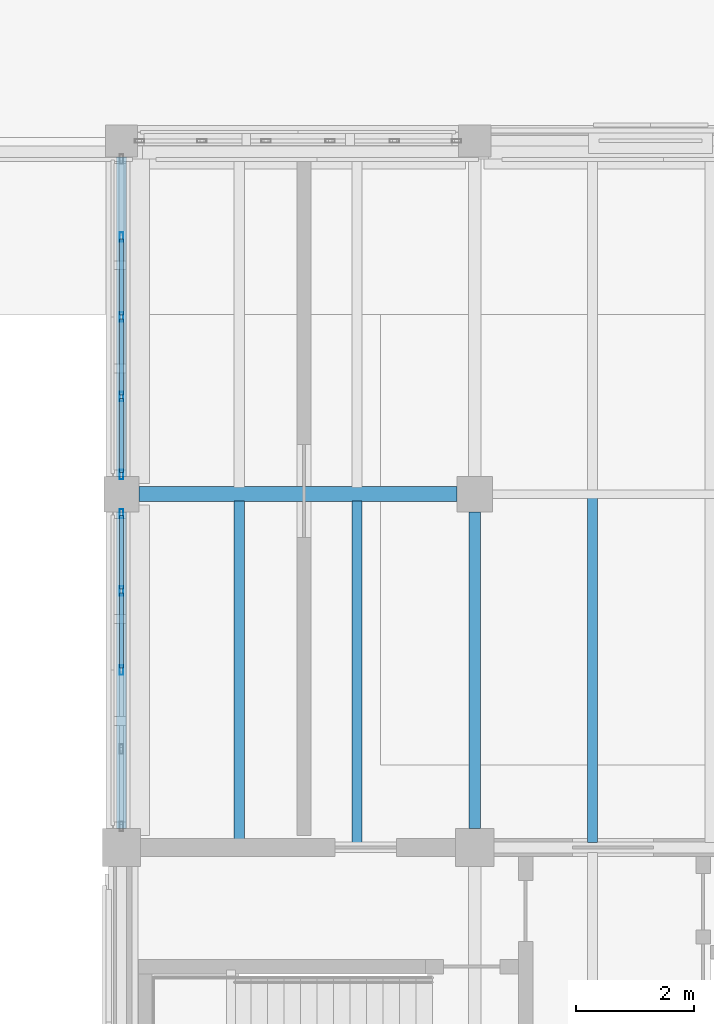
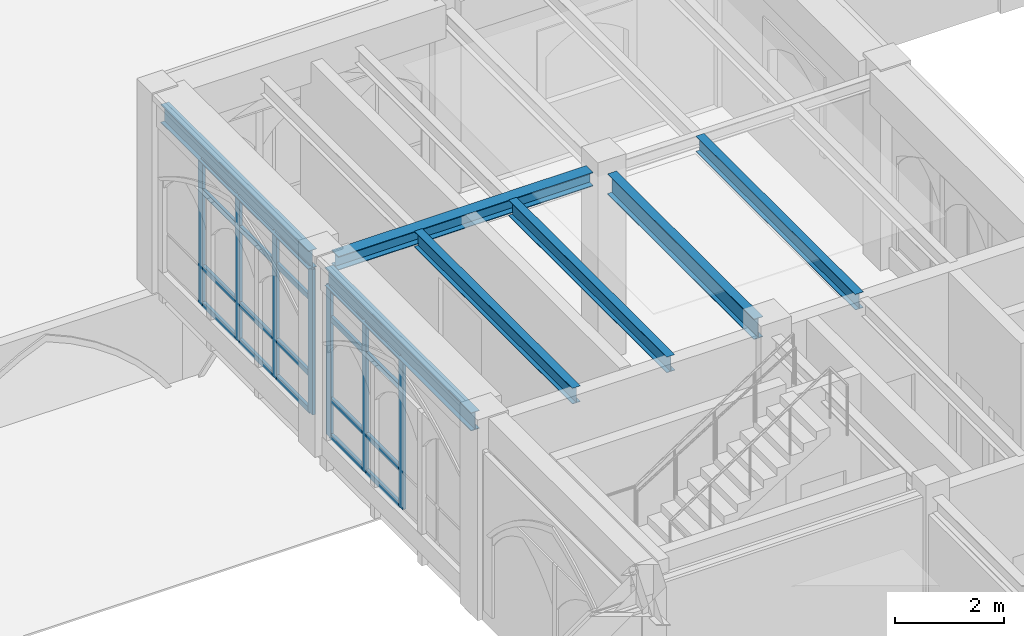
# One storey, part 23 of 127: 27 members, 7 beams, 2 elements without a shape of their own.
"""IFC4 building model written with IfcOpenShell, lengths in metres."""

from ifc_helpers import new_model, si_unit, direction, frame, origin, origin_2d, place, context, subcontext, project, spatial, hollow_rectangle, i_section, extrude, material, layer, layer_set, material_profile, profile_set, type_object, element, aggregate, save


model = new_model("IFC4")

# Units and contexts
model_context = context("Model", 3, precision=1e-05, world=origin(), true_north=direction((0.0, 1.0)))
body_context = subcontext(model_context, "Body", "Model", "MODEL_VIEW")
ifc_project = project(units=[si_unit("LENGTHUNIT", "METRE"), si_unit("AREAUNIT", "SQUARE_METRE"), si_unit("VOLUMEUNIT", "CUBIC_METRE"), si_unit("PLANEANGLEUNIT", "RADIAN"), si_unit("MASSUNIT", "GRAM", prefix="KILO")], contexts=[model_context])

# Site, building, storey
site_placement = place(None, origin())
site = spatial("IfcSite", under=ifc_project, at=site_placement, CompositionType="ELEMENT")
building_placement = place(site_placement, origin())
building = spatial("IfcBuilding", under=site, at=building_placement, Name="Cumevento Cable Car Station", CompositionType="ELEMENT")
storey_placement = place(building_placement, frame((0.0, 0.0, 4.5)))
storey = spatial("IfcBuildingStorey", under=building, at=storey_placement, Name="L02", CompositionType="ELEMENT", Elevation=4.5)

# Curtain wall, members
ifc_material_1 = material(Name="Anodised Bronze Aluminium AW-6063-T6", Category="aluminium")
ifc_layer_1 = layer(ifc_material_1, 0.18994140625)
ifc_layer_set_1 = layer_set([ifc_layer_1], Name="Anodised Bronze Aluminium AW-6063-T6")
curtain_wall_type_1 = type_object("IfcCurtainWallType", Name="Lancet Curtain Wall CW-06 1250", PredefinedType="NOTDEFINED", material=ifc_layer_set_1)
curtain_wall_1_placement = place(storey_placement, origin())
curtain_wall_1 = element("IfcCurtainWall", 1, at=curtain_wall_1_placement, inside=storey, type_object=curtain_wall_type_1, Name="Lancet Curtain Wall CW-06 L02 #53", PredefinedType="NOTDEFINED")
ifc_material_2 = material(Name="Anodised Bronze Aluminium AW-6063-T6", Category="aluminium")
ifc_material_profile_1 = material_profile(ifc_material_2, hollow_rectangle(XDim=0.06494140625, YDim=0.159912109375, WallThickness=0.00390625, at=origin_2d()), Name="ALUM65x160x4")
ifc_profile_set_1 = profile_set([ifc_material_profile_1], Name="Anodised Bronze Aluminium AW-6063-T6")
member_type_1 = type_object("IfcMemberType", Name="Curtain Mullion CWM-01 ALUM65x160x4", PredefinedType="MULLION", material=ifc_profile_set_1)
member_1_placement = place(storey_placement, frame((10.0, 36.012451171875, 0.409912109375), z_axis=(0.0, 0.0, 1.0), x_axis=(-1.0, 0.0, 0.0)))
member_1 = element("IfcMember", 2, at=member_1_placement, type_object=member_type_1, Name="CW-06 mullion 3", PredefinedType="MULLION", context=body_context, shape_type="SweptSolid", body=[
    extrude(hollow_rectangle(XDim=0.06494140625, YDim=0.159912109375, WallThickness=0.00390625, at=origin_2d()), origin(), (0.0, 0.0, 1.0), 3.3681640625),
])
member_2_placement = place(storey_placement, frame((10.0, 37.356201171875, 0.409912109375), z_axis=(0.0, 0.0, 1.0), x_axis=(-1.0, 0.0, 0.0)))
member_2 = element("IfcMember", 3, at=member_2_placement, type_object=member_type_1, Name="CW-06 mullion 4", PredefinedType="MULLION", context=body_context, shape_type="SweptSolid", body=[
    extrude(hollow_rectangle(XDim=0.06494140625, YDim=0.159912109375, WallThickness=0.00390625, at=origin_2d()), origin(), (0.0, 0.0, 1.0), 3.3681640625),
])
member_3_placement = place(storey_placement, frame((10.0, 38.66748046875, 0.409912109375), z_axis=(0.0, 0.0, 1.0), x_axis=(-1.0, 0.0, 0.0)))
member_3 = element("IfcMember", 4, at=member_3_placement, type_object=member_type_1, Name="CW-06 mullion 5", PredefinedType="MULLION", context=body_context, shape_type="SweptSolid", body=[
    extrude(hollow_rectangle(XDim=0.06494140625, YDim=0.159912109375, WallThickness=0.00390625, at=origin_2d()), origin(), (0.0, 0.0, 1.0), 3.3681640625),
])

ifc_material_3 = material(Name="Anodised Bronze Aluminium AW-6063-T6", Category="aluminium")
ifc_layer_2 = layer(ifc_material_3, 0.201904296875)
ifc_layer_set_2 = layer_set([ifc_layer_2], Name="Anodised Bronze Aluminium AW-6063-T6")
curtain_wall_type_2 = type_object("IfcCurtainWallType", Name="Lancet Curtain Wall CW-08 1330", PredefinedType="NOTDEFINED", material=ifc_layer_set_2)
curtain_wall_2_placement = place(storey_placement, origin())
curtain_wall_2 = element("IfcCurtainWall", 5, at=curtain_wall_2_placement, inside=storey, type_object=curtain_wall_type_2, Name="Lancet Curtain Wall CW-08 L02 #55", PredefinedType="NOTDEFINED")
member_4_placement = place(storey_placement, frame((10.0, 39.33251953125, 0.52001953125), z_axis=(0.0, 0.0, 1.0), x_axis=(-1.0, 0.0, 0.0)))
member_4 = element("IfcMember", 6, at=member_4_placement, type_object=member_type_1, Name="CW-08 mullion 1", PredefinedType="MULLION", context=body_context, shape_type="SweptSolid", body=[
    extrude(hollow_rectangle(XDim=0.06494140625, YDim=0.159912109375, WallThickness=0.00390625, at=origin_2d()), origin(), (0.0, 0.0, 1.0), 3.258056640625),
])
member_5_placement = place(storey_placement, frame((10.0, 40.65625, 0.52001953125), z_axis=(0.0, 0.0, 1.0), x_axis=(-1.0, 0.0, 0.0)))
member_5 = element("IfcMember", 7, at=member_5_placement, type_object=member_type_1, Name="CW-08 mullion 2", PredefinedType="MULLION", context=body_context, shape_type="SweptSolid", body=[
    extrude(hollow_rectangle(XDim=0.06494140625, YDim=0.159912109375, WallThickness=0.00390625, at=origin_2d()), origin(), (0.0, 0.0, 1.0), 3.258056640625),
])
member_6_placement = place(storey_placement, frame((10.0, 42.012451171875, 0.52001953125), z_axis=(0.0, 0.0, 1.0), x_axis=(-1.0, 0.0, 0.0)))
member_6 = element("IfcMember", 8, at=member_6_placement, type_object=member_type_1, Name="CW-08 mullion 3", PredefinedType="MULLION", context=body_context, shape_type="SweptSolid", body=[
    extrude(hollow_rectangle(XDim=0.06494140625, YDim=0.159912109375, WallThickness=0.00390625, at=origin_2d()), origin(), (0.0, 0.0, 1.0), 3.258056640625),
])
member_7_placement = place(storey_placement, frame((10.0, 43.36865234375, 0.52001953125), z_axis=(0.0, 0.0, 1.0), x_axis=(-1.0, 0.0, 0.0)))
member_7 = element("IfcMember", 9, at=member_7_placement, type_object=member_type_1, Name="CW-08 mullion 4", PredefinedType="MULLION", context=body_context, shape_type="SweptSolid", body=[
    extrude(hollow_rectangle(XDim=0.06494140625, YDim=0.159912109375, WallThickness=0.00390625, at=origin_2d()), origin(), (0.0, 0.0, 1.0), 3.258056640625),
])

# Member
ifc_material_4 = material(Name="Anodised Bronze Aluminium AW-6063-T6", Category="aluminium")
ifc_material_profile_2 = material_profile(ifc_material_4, hollow_rectangle(XDim=0.06494140625, YDim=0.1201171875, WallThickness=0.00390625, at=origin_2d()), Name="ALUT65x120x4")
ifc_profile_set_2 = profile_set([ifc_material_profile_2], Name="Anodised Bronze Aluminium AW-6063-T6")
member_type_2 = type_object("IfcMemberType", Name="Curtain Transom CWT-01 ALUT65x120x4", PredefinedType="USERDEFINED", material=ifc_profile_set_2)
member_8_placement = place(storey_placement, frame((10.0, 36.044921875, 0.4423828125), z_axis=(0.0, 1.0, 0.0), x_axis=(-1.0, 0.0, 0.0)))
member_8 = element("IfcMember", 10, at=member_8_placement, type_object=member_type_2, Name="CW-06 transom 3.1", ObjectType="TRANSOM", PredefinedType="USERDEFINED", context=body_context, shape_type="SweptSolid", body=[
    extrude(hollow_rectangle(XDim=0.06494140625, YDim=0.1201171875, WallThickness=0.00390625, at=origin_2d()), origin(), (0.0, 0.0, 1.0), 1.27880859375),
])

member_9_placement = place(storey_placement, frame((10.0, 36.044921875, 1.260009765625), z_axis=(0.0, 1.0, 0.0), x_axis=(-1.0, 0.0, 0.0)))
member_9 = element("IfcMember", 11, at=member_9_placement, type_object=member_type_2, Name="CW-06 transom 3.2", ObjectType="TRANSOM", PredefinedType="USERDEFINED", context=body_context, shape_type="SweptSolid", body=[
    extrude(hollow_rectangle(XDim=0.06494140625, YDim=0.1201171875, WallThickness=0.00390625, at=origin_2d()), origin(), (0.0, 0.0, 1.0), 1.27880859375),
])

member_10_placement = place(storey_placement, frame((10.0, 36.044921875, 3.077880859375), z_axis=(0.0, 1.0, 0.0), x_axis=(-1.0, 0.0, 0.0)))
member_10 = element("IfcMember", 12, at=member_10_placement, type_object=member_type_2, Name="CW-06 transom 3.3", ObjectType="TRANSOM", PredefinedType="USERDEFINED", context=body_context, shape_type="SweptSolid", body=[
    extrude(hollow_rectangle(XDim=0.06494140625, YDim=0.1201171875, WallThickness=0.00390625, at=origin_2d()), origin(), (0.0, 0.0, 1.0), 1.27880859375),
])

member_11_placement = place(storey_placement, frame((10.0, 36.044921875, 3.74560546875), z_axis=(0.0, 1.0, 0.0), x_axis=(-1.0, 0.0, 0.0)))
member_11 = element("IfcMember", 13, at=member_11_placement, type_object=member_type_2, Name="CW-06 transom 3.4", ObjectType="TRANSOM", PredefinedType="USERDEFINED", context=body_context, shape_type="SweptSolid", body=[
    extrude(hollow_rectangle(XDim=0.06494140625, YDim=0.1201171875, WallThickness=0.00390625, at=origin_2d()), origin(), (0.0, 0.0, 1.0), 1.27880859375),
])

member_12_placement = place(storey_placement, frame((10.0, 37.388671875, 0.4423828125), z_axis=(0.0, 1.0, 0.0), x_axis=(-1.0, 0.0, 0.0)))
member_12 = element("IfcMember", 14, at=member_12_placement, type_object=member_type_2, Name="CW-06 transom 4.1", ObjectType="TRANSOM", PredefinedType="USERDEFINED", context=body_context, shape_type="SweptSolid", body=[
    extrude(hollow_rectangle(XDim=0.06494140625, YDim=0.1201171875, WallThickness=0.00390625, at=origin_2d()), origin(), (0.0, 0.0, 1.0), 1.246337890625),
])

member_13_placement = place(storey_placement, frame((10.0, 37.388671875, 1.260009765625), z_axis=(0.0, 1.0, 0.0), x_axis=(-1.0, 0.0, 0.0)))
member_13 = element("IfcMember", 15, at=member_13_placement, type_object=member_type_2, Name="CW-06 transom 4.2", ObjectType="TRANSOM", PredefinedType="USERDEFINED", context=body_context, shape_type="SweptSolid", body=[
    extrude(hollow_rectangle(XDim=0.06494140625, YDim=0.1201171875, WallThickness=0.00390625, at=origin_2d()), origin(), (0.0, 0.0, 1.0), 1.246337890625),
])

member_14_placement = place(storey_placement, frame((10.0, 37.388671875, 3.077880859375), z_axis=(0.0, 1.0, 0.0), x_axis=(-1.0, 0.0, 0.0)))
member_14 = element("IfcMember", 16, at=member_14_placement, type_object=member_type_2, Name="CW-06 transom 4.3", ObjectType="TRANSOM", PredefinedType="USERDEFINED", context=body_context, shape_type="SweptSolid", body=[
    extrude(hollow_rectangle(XDim=0.06494140625, YDim=0.1201171875, WallThickness=0.00390625, at=origin_2d()), origin(), (0.0, 0.0, 1.0), 1.246337890625),
])

member_15_placement = place(storey_placement, frame((10.0, 37.388671875, 3.74560546875), z_axis=(0.0, 1.0, 0.0), x_axis=(-1.0, 0.0, 0.0)))
member_15 = element("IfcMember", 17, at=member_15_placement, type_object=member_type_2, Name="CW-06 transom 4.4", ObjectType="TRANSOM", PredefinedType="USERDEFINED", context=body_context, shape_type="SweptSolid", body=[
    extrude(hollow_rectangle(XDim=0.06494140625, YDim=0.1201171875, WallThickness=0.00390625, at=origin_2d()), origin(), (0.0, 0.0, 1.0), 1.246337890625),
])

aggregate(curtain_wall_1, [member_1, member_2, member_3, member_8, member_9, member_10, member_11, member_12, member_13, member_14, member_15])

member_16_placement = place(storey_placement, frame((10.0, 39.364990234375, 0.552490234375), z_axis=(0.0, 1.0, 0.0), x_axis=(-1.0, 0.0, 0.0)))
member_16 = element("IfcMember", 18, at=member_16_placement, type_object=member_type_2, Name="CW-08 transom 1.1", ObjectType="TRANSOM", PredefinedType="USERDEFINED", context=body_context, shape_type="SweptSolid", body=[
    extrude(hollow_rectangle(XDim=0.06494140625, YDim=0.1201171875, WallThickness=0.00390625, at=origin_2d()), origin(), (0.0, 0.0, 1.0), 1.2587890625),
])

member_17_placement = place(storey_placement, frame((10.0, 39.364990234375, 1.3701171875), z_axis=(0.0, 1.0, 0.0), x_axis=(-1.0, 0.0, 0.0)))
member_17 = element("IfcMember", 19, at=member_17_placement, type_object=member_type_2, Name="CW-08 transom 1.2", ObjectType="TRANSOM", PredefinedType="USERDEFINED", context=body_context, shape_type="SweptSolid", body=[
    extrude(hollow_rectangle(XDim=0.06494140625, YDim=0.1201171875, WallThickness=0.00390625, at=origin_2d()), origin(), (0.0, 0.0, 1.0), 1.2587890625),
])

member_18_placement = place(storey_placement, frame((10.0, 39.364990234375, 3.077880859375), z_axis=(0.0, 1.0, 0.0), x_axis=(-1.0, 0.0, 0.0)))
member_18 = element("IfcMember", 20, at=member_18_placement, type_object=member_type_2, Name="CW-08 transom 1.3", ObjectType="TRANSOM", PredefinedType="USERDEFINED", context=body_context, shape_type="SweptSolid", body=[
    extrude(hollow_rectangle(XDim=0.06494140625, YDim=0.1201171875, WallThickness=0.00390625, at=origin_2d()), origin(), (0.0, 0.0, 1.0), 1.2587890625),
])

member_19_placement = place(storey_placement, frame((10.0, 39.364990234375, 3.74560546875), z_axis=(0.0, 1.0, 0.0), x_axis=(-1.0, 0.0, 0.0)))
member_19 = element("IfcMember", 21, at=member_19_placement, type_object=member_type_2, Name="CW-08 transom 1.4", ObjectType="TRANSOM", PredefinedType="USERDEFINED", context=body_context, shape_type="SweptSolid", body=[
    extrude(hollow_rectangle(XDim=0.06494140625, YDim=0.1201171875, WallThickness=0.00390625, at=origin_2d()), origin(), (0.0, 0.0, 1.0), 1.2587890625),
])

member_20_placement = place(storey_placement, frame((10.0, 40.688720703125, 0.552490234375), z_axis=(0.0, 1.0, 0.0), x_axis=(-1.0, 0.0, 0.0)))
member_20 = element("IfcMember", 22, at=member_20_placement, type_object=member_type_2, Name="CW-08 transom 2.1", ObjectType="TRANSOM", PredefinedType="USERDEFINED", context=body_context, shape_type="SweptSolid", body=[
    extrude(hollow_rectangle(XDim=0.06494140625, YDim=0.1201171875, WallThickness=0.00390625, at=origin_2d()), origin(), (0.0, 0.0, 1.0), 1.291259765625),
])

member_21_placement = place(storey_placement, frame((10.0, 40.688720703125, 1.3701171875), z_axis=(0.0, 1.0, 0.0), x_axis=(-1.0, 0.0, 0.0)))
member_21 = element("IfcMember", 23, at=member_21_placement, type_object=member_type_2, Name="CW-08 transom 2.2", ObjectType="TRANSOM", PredefinedType="USERDEFINED", context=body_context, shape_type="SweptSolid", body=[
    extrude(hollow_rectangle(XDim=0.06494140625, YDim=0.1201171875, WallThickness=0.00390625, at=origin_2d()), origin(), (0.0, 0.0, 1.0), 1.291259765625),
])

member_22_placement = place(storey_placement, frame((10.0, 40.688720703125, 3.077880859375), z_axis=(0.0, 1.0, 0.0), x_axis=(-1.0, 0.0, 0.0)))
member_22 = element("IfcMember", 24, at=member_22_placement, type_object=member_type_2, Name="CW-08 transom 2.3", ObjectType="TRANSOM", PredefinedType="USERDEFINED", context=body_context, shape_type="SweptSolid", body=[
    extrude(hollow_rectangle(XDim=0.06494140625, YDim=0.1201171875, WallThickness=0.00390625, at=origin_2d()), origin(), (0.0, 0.0, 1.0), 1.291259765625),
])

member_23_placement = place(storey_placement, frame((10.0, 40.688720703125, 3.74560546875), z_axis=(0.0, 1.0, 0.0), x_axis=(-1.0, 0.0, 0.0)))
member_23 = element("IfcMember", 25, at=member_23_placement, type_object=member_type_2, Name="CW-08 transom 2.4", ObjectType="TRANSOM", PredefinedType="USERDEFINED", context=body_context, shape_type="SweptSolid", body=[
    extrude(hollow_rectangle(XDim=0.06494140625, YDim=0.1201171875, WallThickness=0.00390625, at=origin_2d()), origin(), (0.0, 0.0, 1.0), 1.291259765625),
])

member_24_placement = place(storey_placement, frame((10.0, 42.044921875, 0.552490234375), z_axis=(0.0, 1.0, 0.0), x_axis=(-1.0, 0.0, 0.0)))
member_24 = element("IfcMember", 26, at=member_24_placement, type_object=member_type_2, Name="CW-08 transom 3.1", ObjectType="TRANSOM", PredefinedType="USERDEFINED", context=body_context, shape_type="SweptSolid", body=[
    extrude(hollow_rectangle(XDim=0.06494140625, YDim=0.1201171875, WallThickness=0.00390625, at=origin_2d()), origin(), (0.0, 0.0, 1.0), 1.291259765625),
])

member_25_placement = place(storey_placement, frame((10.0, 42.044921875, 1.3701171875), z_axis=(0.0, 1.0, 0.0), x_axis=(-1.0, 0.0, 0.0)))
member_25 = element("IfcMember", 27, at=member_25_placement, type_object=member_type_2, Name="CW-08 transom 3.2", ObjectType="TRANSOM", PredefinedType="USERDEFINED", context=body_context, shape_type="SweptSolid", body=[
    extrude(hollow_rectangle(XDim=0.06494140625, YDim=0.1201171875, WallThickness=0.00390625, at=origin_2d()), origin(), (0.0, 0.0, 1.0), 1.291259765625),
])

member_26_placement = place(storey_placement, frame((10.0, 42.044921875, 3.077880859375), z_axis=(0.0, 1.0, 0.0), x_axis=(-1.0, 0.0, 0.0)))
member_26 = element("IfcMember", 28, at=member_26_placement, type_object=member_type_2, Name="CW-08 transom 3.3", ObjectType="TRANSOM", PredefinedType="USERDEFINED", context=body_context, shape_type="SweptSolid", body=[
    extrude(hollow_rectangle(XDim=0.06494140625, YDim=0.1201171875, WallThickness=0.00390625, at=origin_2d()), origin(), (0.0, 0.0, 1.0), 1.291259765625),
])

member_27_placement = place(storey_placement, frame((10.0, 42.044921875, 3.74560546875), z_axis=(0.0, 1.0, 0.0), x_axis=(-1.0, 0.0, 0.0)))
member_27 = element("IfcMember", 29, at=member_27_placement, type_object=member_type_2, Name="CW-08 transom 3.4", ObjectType="TRANSOM", PredefinedType="USERDEFINED", context=body_context, shape_type="SweptSolid", body=[
    extrude(hollow_rectangle(XDim=0.06494140625, YDim=0.1201171875, WallThickness=0.00390625, at=origin_2d()), origin(), (0.0, 0.0, 1.0), 1.291259765625),
])

aggregate(curtain_wall_2, [member_4, member_5, member_6, member_7, member_16, member_17, member_18, member_19, member_20, member_21, member_22, member_23, member_24, member_25, member_26, member_27])

# Beams
ifc_material_5 = material(Name="Steel ASTM A572 Grade 50", Category="steel")
ifc_material_profile_3 = material_profile(ifc_material_5, i_section(OverallWidth=0.18994140625, OverallDepth=0.45703125, WebThickness=0.009033203125, FlangeThickness=0.014404296875, at=origin_2d()), Name="W460x74.0")
ifc_profile_set_3 = profile_set([ifc_material_profile_3], Name="Steel ASTM A572 Grade 50")
beam_type_1 = type_object("IfcBeamType", Name="Structural Beam BM-04 W460x74.0", PredefinedType="BEAM", material=ifc_profile_set_3)
beam_1_placement = place(storey_placement, frame((16.0, 33.324951171875, 3.95654296875), z_axis=(0.0, 1.0, 0.0), x_axis=(-1.0, 0.0, 0.0)))
element("IfcBeam", 30, at=beam_1_placement, inside=storey, type_object=beam_type_1, Name="Beam BM-04 L02 #545", PredefinedType="BEAM", context=body_context, shape_type="SweptSolid", body=[
    extrude(i_section(OverallWidth=0.18994140625, OverallDepth=0.45703125, WebThickness=0.009033203125, FlangeThickness=0.014404296875, at=origin_2d()), origin(), (0.0, 0.0, 1.0), 5.375),
])
ifc_material_6 = material(Name="Steel ASTM A572 Grade 50", Category="steel")
ifc_material_profile_4 = material_profile(ifc_material_6, i_section(OverallWidth=0.25390625, OverallDepth=0.305908203125, WebThickness=0.0087890625, FlangeThickness=0.0146484375, at=origin_2d()), Name="W310x79.0")
ifc_profile_set_4 = profile_set([ifc_material_profile_4], Name="Steel ASTM A572 Grade 50")
beam_type_2 = type_object("IfcBeamType", Name="Structural Beam BM-06 W310x79.0", PredefinedType="BEAM", material=ifc_profile_set_4)
beam_2_placement = place(storey_placement, frame((10.300048828125, 39.0, 4.031982421875), z_axis=(1.0, 0.0, 0.0), x_axis=(0.0, 1.0, 0.0)))
element("IfcBeam", 31, at=beam_2_placement, inside=storey, type_object=beam_type_2, Name="Beam BM-06 L02 #539", PredefinedType="BEAM", context=body_context, shape_type="SweptSolid", body=[
    extrude(i_section(OverallWidth=0.25390625, OverallDepth=0.305908203125, WebThickness=0.0087890625, FlangeThickness=0.0146484375, at=origin_2d()), origin(), (0.0, 0.0, 1.0), 5.39990234375),
])
ifc_material_7 = material(Name="Steel ASTM A572 Grade 50", Category="steel")
ifc_material_profile_5 = material_profile(ifc_material_7, i_section(OverallWidth=0.1708984375, OverallDepth=0.35498046875, WebThickness=0.007080078125, FlangeThickness=0.01171875, at=origin_2d()), Name="W360x51.0")
ifc_profile_set_5 = profile_set([ifc_material_profile_5], Name="Steel ASTM A572 Grade 50")
beam_type_3 = type_object("IfcBeamType", Name="Structural Joist JS-01 W360x51.0", PredefinedType="JOIST", material=ifc_profile_set_5)
for number, where, z_axis, x_axis, name in (
    (32, (12.0, 33.077880859375, 4.007568359375), (0.0, 1.0, 0.0), (-1.0, 0.0, 0.0), "Composite Floor Joist JS-01 L02 #780"),
    (33, (14.0, 33.077880859375, 4.007568359375), (0.0, 1.0, 0.0), (-1.0, 0.0, 0.0), "Composite Floor Joist JS-01 L02 #782"),
):
    element("IfcBeam", number, at=place(storey_placement, frame(where, z_axis=z_axis, x_axis=x_axis)), inside=storey, type_object=beam_type_3, Name=name, PredefinedType="JOIST", context=body_context, shape_type="SweptSolid", body=[
        extrude(i_section(OverallWidth=0.1708984375, OverallDepth=0.35498046875, WebThickness=0.007080078125, FlangeThickness=0.01171875, at=origin_2d()), origin(), (0.0, 0.0, 1.0), 5.80712890625),
    ])
beam_3_placement = place(storey_placement, frame((18.0, 33.083984375, 4.007568359375), z_axis=(0.0, 1.0, 0.0), x_axis=(-1.0, 0.0, 0.0)))
element("IfcBeam", 34, at=beam_3_placement, inside=storey, type_object=beam_type_3, Name="Composite Floor Joist JS-01 L02 #784", PredefinedType="JOIST", context=body_context, shape_type="SweptSolid", body=[
    extrude(i_section(OverallWidth=0.1708984375, OverallDepth=0.35498046875, WebThickness=0.007080078125, FlangeThickness=0.01171875, at=origin_2d()), origin(), (0.0, 0.0, 1.0), 5.85400390625),
])
ifc_material_8 = material(Name="Steel ASTM A572 Grade 50", Category="steel")
ifc_material_profile_6 = material_profile(ifc_material_8, i_section(OverallWidth=0.177978515625, OverallDepth=0.406982421875, WebThickness=0.0078125, FlangeThickness=0.0126953125, at=origin_2d()), Name="W410x60.0")
ifc_profile_set_6 = profile_set([ifc_material_profile_6], Name="Steel ASTM A572 Grade 50")
beam_type_4 = type_object("IfcBeamType", Name="Structural Spandrel SP-01 W410x60.0", PredefinedType="SPANDREL", material=ifc_profile_set_6)
beam_4_placement = place(storey_placement, frame((10.0, 33.324951171875, 3.9814453125), z_axis=(0.0, 1.0, 0.0), x_axis=(-1.0, 0.0, 0.0)))
element("IfcBeam", 35, at=beam_4_placement, inside=storey, type_object=beam_type_4, Name="Beam SP-01 L02 #543", PredefinedType="SPANDREL", context=body_context, shape_type="SweptSolid", body=[
    extrude(i_section(OverallWidth=0.177978515625, OverallDepth=0.406982421875, WebThickness=0.0078125, FlangeThickness=0.0126953125, at=origin_2d()), origin(), (0.0, 0.0, 1.0), 5.375),
])
beam_5_placement = place(storey_placement, frame((10.0, 39.300048828125, 3.9814453125), z_axis=(0.0, 1.0, 0.0), x_axis=(-1.0, 0.0, 0.0)))
element("IfcBeam", 36, at=beam_5_placement, inside=storey, type_object=beam_type_4, Name="Beam SP-01 L02 #544", PredefinedType="SPANDREL", context=body_context, shape_type="SweptSolid", body=[
    extrude(i_section(OverallWidth=0.177978515625, OverallDepth=0.406982421875, WebThickness=0.0078125, FlangeThickness=0.0126953125, at=origin_2d()), origin(), (0.0, 0.0, 1.0), 5.425048828125),
])

save(model, "model.ifc")
